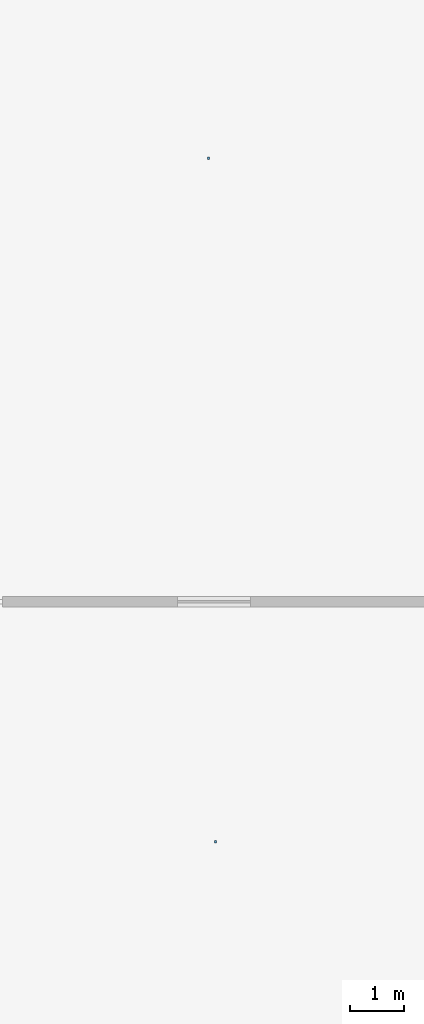
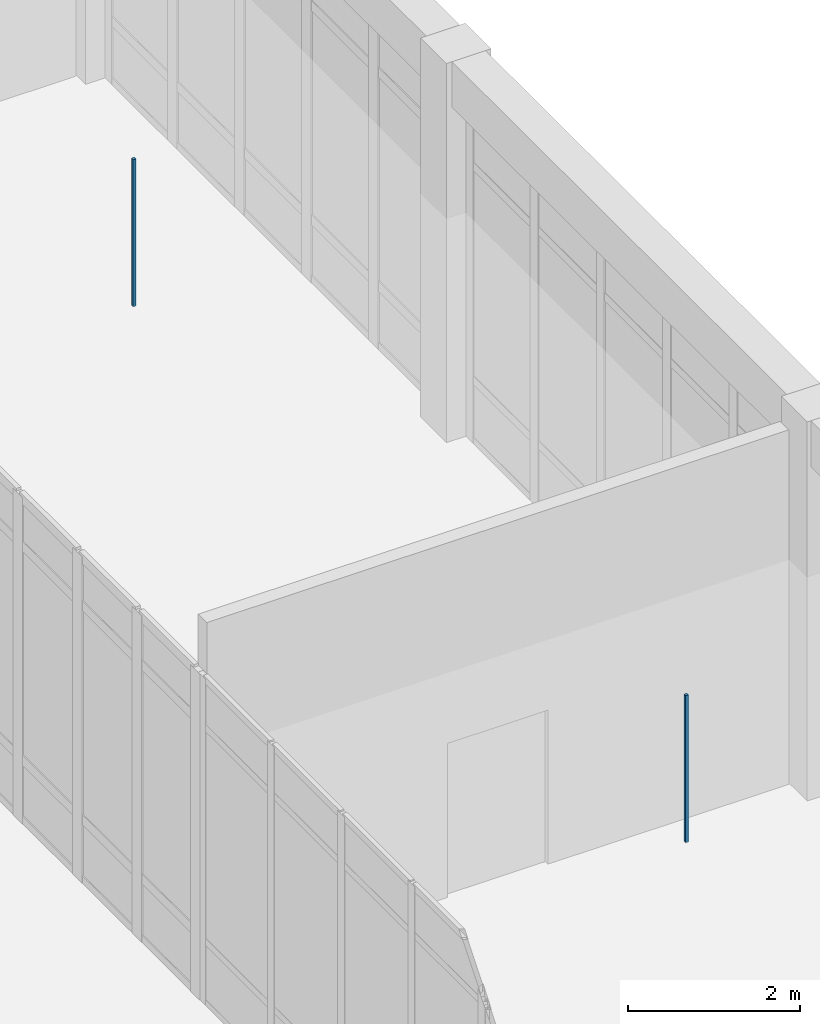
# One storey, part 108 of 157: 2 discrete accessories.
"""IFC4 building model written with IfcOpenShell, lengths in metres."""

from ifc_helpers import new_model, si_unit, direction, frame, origin, origin_2d, place, context, subcontext, project, spatial, rectangle, extrude, material, type_object, element, save


model = new_model("IFC4")

# Units and contexts
model_context = context("Model", 3, precision=1e-05, world=origin(), true_north=direction((0.0, 1.0)))
body_context = subcontext(model_context, "Body", "Model", "MODEL_VIEW")
ifc_project = project(units=[si_unit("LENGTHUNIT", "METRE"), si_unit("AREAUNIT", "SQUARE_METRE"), si_unit("VOLUMEUNIT", "CUBIC_METRE"), si_unit("PLANEANGLEUNIT", "RADIAN"), si_unit("MASSUNIT", "GRAM", prefix="KILO")], contexts=[model_context])

# Site, building, storey
site_placement = place(None, origin())
site = spatial("IfcSite", under=ifc_project, at=site_placement, CompositionType="ELEMENT")
building_placement = place(site_placement, origin())
building = spatial("IfcBuilding", under=site, at=building_placement, Name="Varncliffe General Hospital", CompositionType="ELEMENT")
storey_placement = place(building_placement, frame((0.0, 0.0, 5.39990234375)))
storey = spatial("IfcBuildingStorey", under=building, at=storey_placement, Name="L01", CompositionType="ELEMENT", Elevation=5.39990234375)

# Discrete accessories
ifc_material = material(Name="Powder-coated hospital steel guardrail and handrail", Category="steel")
discrete_accessory_type = type_object("IfcDiscreteAccessoryType", Name="Suspended Ceiling Hanger Bracket CH01", PredefinedType="BRACKET", material=ifc_material)
for number, where, z_axis, x_axis, name in (
    (1, (113.39990234375, 36.5625, 3.18994140625), (0.0, 0.0, 1.0), (1.0, 0.0, 0.0), "L01 Suspended Ceiling Hanger 127"),
    (2, (113.27001953125, 49.199951171875, 3.18994140625), (0.0, 0.0, 1.0), (1.0, 0.0, 0.0), "L01 Suspended Ceiling Hanger 128"),
):
    element("IfcDiscreteAccessory", number, at=place(storey_placement, frame(where, z_axis=z_axis, x_axis=x_axis)), inside=storey, type_object=discrete_accessory_type, Name=name, PredefinedType="BRACKET", context=body_context, shape_type="SweptSolid", body=[
        extrude(rectangle(XDim=0.0400390625, YDim=0.0400390625, at=origin_2d()), origin(), (0.0, 0.0, 1.0), 2.090087890625),
    ])

save(model, "model.ifc")
